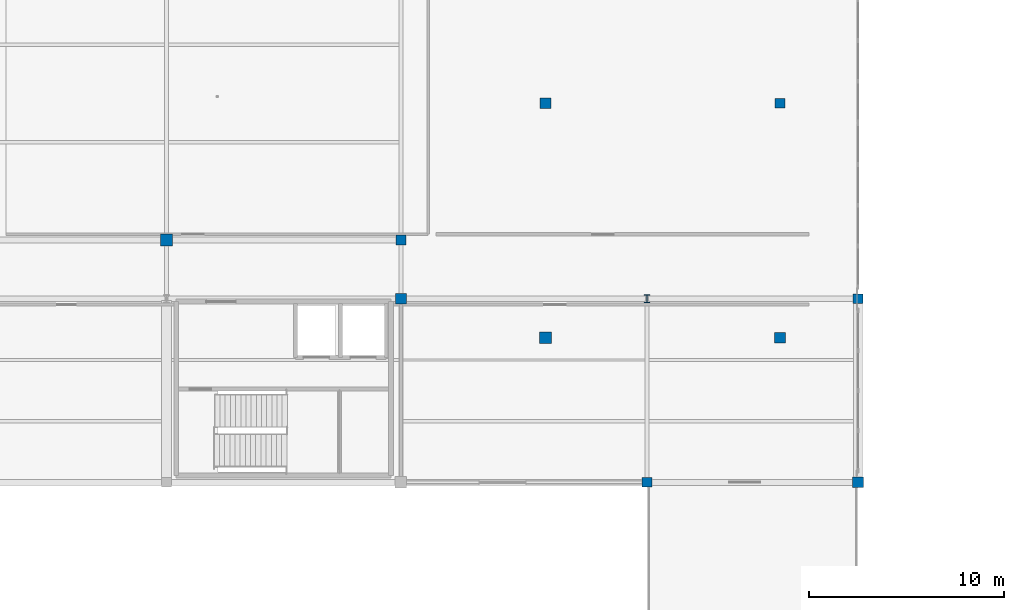
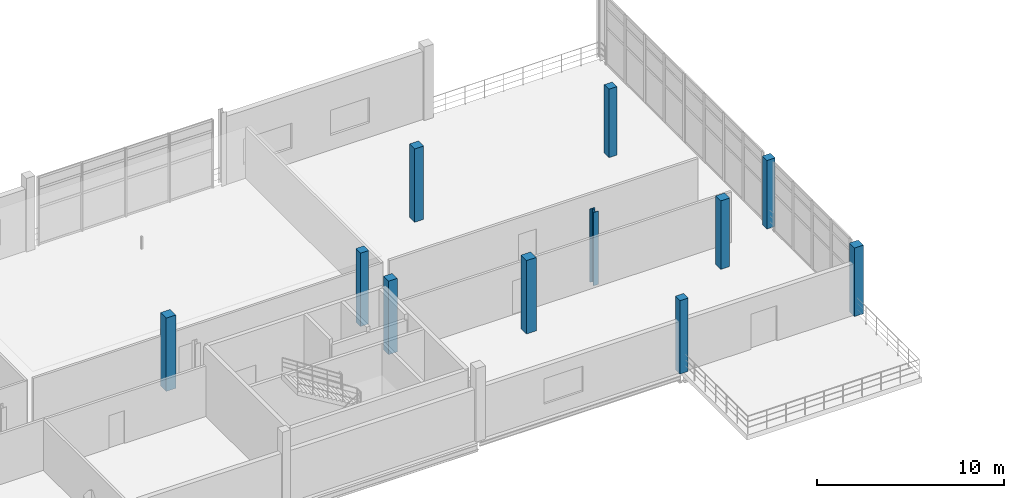
# One storey, part 13 of 52: 11 columns.
"""IFC4 building model written with IfcOpenShell, lengths in metres."""

from ifc_helpers import new_model, si_unit, direction, frame, origin, origin_2d, place, context, subcontext, project, spatial, rectangle, i_section, extrude, material, material_profile, profile_set, type_object, element, save


model = new_model("IFC4")

# Units and contexts
model_context = context("Model", 3, precision=1e-05, world=origin(), true_north=direction((0.0, 1.0)))
body_context = subcontext(model_context, "Body", "Model", "MODEL_VIEW")
ifc_project = project(units=[si_unit("LENGTHUNIT", "METRE"), si_unit("AREAUNIT", "SQUARE_METRE"), si_unit("VOLUMEUNIT", "CUBIC_METRE"), si_unit("PLANEANGLEUNIT", "RADIAN"), si_unit("MASSUNIT", "GRAM", prefix="KILO"), si_unit("THERMODYNAMICTEMPERATUREUNIT", "KELVIN"), si_unit("POWERUNIT", "WATT")], contexts=[model_context])

# Site, building, storey
site_placement = place(None, origin())
site = spatial("IfcSite", under=ifc_project, at=site_placement, CompositionType="ELEMENT")
building_placement = place(site_placement, origin())
building = spatial("IfcBuilding", under=site, at=building_placement, Name="Solmara Park Aquatics Centre", CompositionType="ELEMENT")
storey_placement = place(building_placement, frame((0.0, 0.0, 9.60009765625)))
storey = spatial("IfcBuildingStorey", under=building, at=storey_placement, Name="L02", CompositionType="ELEMENT", Elevation=9.60009765625)

# Columns
ifc_material_1 = material(Name="Structural Steel S355", Category="steel")
ifc_material_profile_1 = material_profile(ifc_material_1, i_section(OverallWidth=0.300048828125, OverallDepth=0.39990234375, WebThickness=0.013427734375, FlangeThickness=0.02392578125, FilletRadius=0.027099609375, at=origin_2d()), Name="HEB 400")
ifc_profile_set_1 = profile_set([ifc_material_profile_1], Name="Structural Steel S355")
column_type_1 = type_object("IfcColumnType", Name="STR-COL-HEB400", PredefinedType="COLUMN", material=ifc_profile_set_1)
column_placement = place(storey_placement, frame((109.199951171875, 118.0, 0.0), z_axis=(0.0, 0.0, 1.0), x_axis=(1.0, 0.0, 0.0)))
element("IfcColumn", 1, at=column_placement, inside=storey, type_object=column_type_1, Name="Column L02-0532", PredefinedType="COLUMN", context=body_context, shape_type="SweptSolid", body=[
    extrude(i_section(OverallWidth=0.300048828125, OverallDepth=0.39990234375, WebThickness=0.013427734375, FlangeThickness=0.02392578125, FilletRadius=0.027099609375, at=origin_2d()), origin(), (0.0, 0.0, 1.0), 4.7998046875),
])
ifc_material_2 = material(Name="Concrete C40/50", Category="concrete")
ifc_material_profile_2 = material_profile(ifc_material_2, rectangle(XDim=0.5, YDim=0.5, at=origin_2d()), Name="RC 500x500")
ifc_profile_set_2 = profile_set([ifc_material_profile_2], Name="Concrete C40/50")
column_type_2 = type_object("IfcColumnType", Name="STR-COL-RC500", PredefinedType="COLUMN", material=ifc_profile_set_2)
for number, where, z_axis, x_axis, name in (
    (2, (96.60009765625, 121.0, 0.0), (0.0, 0.0, 1.0), (1.0, 0.0, 0.0), "Column L02-0523"),
    (3, (109.199951171875, 108.60009765625, 0.0), (0.0, 0.0, 1.0), (1.0, 0.0, 0.0), "Column L02-0531"),
):
    element("IfcColumn", number, at=place(storey_placement, frame(where, z_axis=z_axis, x_axis=x_axis)), inside=storey, type_object=column_type_2, Name=name, PredefinedType="COLUMN", context=body_context, shape_type="SweptSolid", body=[
        extrude(rectangle(XDim=0.5, YDim=0.5, at=origin_2d()), origin(), (0.0, 0.0, 1.0), 4.7998046875),
    ])
for number, where, z_axis, x_axis, name in (
    (4, (116.0, 128.0, 0.0), (0.0, 0.0, 1.0), (1.0, 0.0, 0.0), "Column L02-0535"),
    (5, (120.0, 118.0, 0.0), (0.0, 0.0, 1.0), (1.0, 0.0, 0.0), "Column L02-0543"),
):
    element("IfcColumn", number, at=place(storey_placement, frame(where, z_axis=z_axis, x_axis=x_axis)), inside=storey, type_object=column_type_2, Name=name, PredefinedType="COLUMN", context=body_context, shape_type="SweptSolid", body=[
        extrude(rectangle(XDim=0.5, YDim=0.5, at=origin_2d()), origin(), (0.0, 0.0, 1.0), 4.47998046875),
    ])
ifc_material_profile_3 = material_profile(ifc_material_2, rectangle(XDim=0.550048828125, YDim=0.550048828125, at=origin_2d()), Name="RC 550x550")
ifc_profile_set_3 = profile_set([ifc_material_profile_3], Name="Concrete C40/50")
column_type_3 = type_object("IfcColumnType", Name="STR-COL-RC550", PredefinedType="COLUMN", material=ifc_profile_set_3)
for number, where, z_axis, x_axis, name in (
    (6, (96.60009765625, 118.0, 0.0), (0.0, 0.0, 1.0), (1.0, 0.0, 0.0), "Column L02-0522"),
    (7, (104.0, 128.0, 0.0), (0.0, 0.0, 1.0), (1.0, 0.0, 0.0), "Column L02-0526"),
):
    element("IfcColumn", number, at=place(storey_placement, frame(where, z_axis=z_axis, x_axis=x_axis)), inside=storey, type_object=column_type_3, Name=name, PredefinedType="COLUMN", context=body_context, shape_type="SweptSolid", body=[
        extrude(rectangle(XDim=0.550048828125, YDim=0.550048828125, at=origin_2d()), origin(), (0.0, 0.0, 1.0), 4.7998046875),
    ])
for number, where, z_axis, x_axis, name in (
    (8, (116.0, 116.0, 0.0), (0.0, 0.0, 1.0), (1.0, 0.0, 0.0), "Column L02-0534"),
    (9, (120.0, 108.60009765625, 0.0), (0.0, 0.0, 1.0), (1.0, 0.0, 0.0), "Column L02-0542"),
):
    element("IfcColumn", number, at=place(storey_placement, frame(where, z_axis=z_axis, x_axis=x_axis)), inside=storey, type_object=column_type_3, Name=name, PredefinedType="COLUMN", context=body_context, shape_type="SweptSolid", body=[
        extrude(rectangle(XDim=0.550048828125, YDim=0.550048828125, at=origin_2d()), origin(), (0.0, 0.0, 1.0), 4.47998046875),
    ])
ifc_material_profile_4 = material_profile(ifc_material_2, rectangle(XDim=0.60009765625, YDim=0.60009765625, at=origin_2d()), Name="RC 600x600")
ifc_profile_set_4 = profile_set([ifc_material_profile_4], Name="Concrete C40/50")
column_type_4 = type_object("IfcColumnType", Name="STR-COL-RC600", PredefinedType="COLUMN", material=ifc_profile_set_4)
for number, where, z_axis, x_axis, name in (
    (10, (84.60009765625, 121.0, 0.0), (0.0, 0.0, 1.0), (1.0, 0.0, 0.0), "Column L02-0513"),
    (11, (104.0, 116.0, 0.0), (0.0, 0.0, 1.0), (1.0, 0.0, 0.0), "Column L02-0525"),
):
    element("IfcColumn", number, at=place(storey_placement, frame(where, z_axis=z_axis, x_axis=x_axis)), inside=storey, type_object=column_type_4, Name=name, PredefinedType="COLUMN", context=body_context, shape_type="SweptSolid", body=[
        extrude(rectangle(XDim=0.60009765625, YDim=0.60009765625, at=origin_2d()), origin(), (0.0, 0.0, 1.0), 4.7998046875),
    ])

save(model, "model.ifc")
